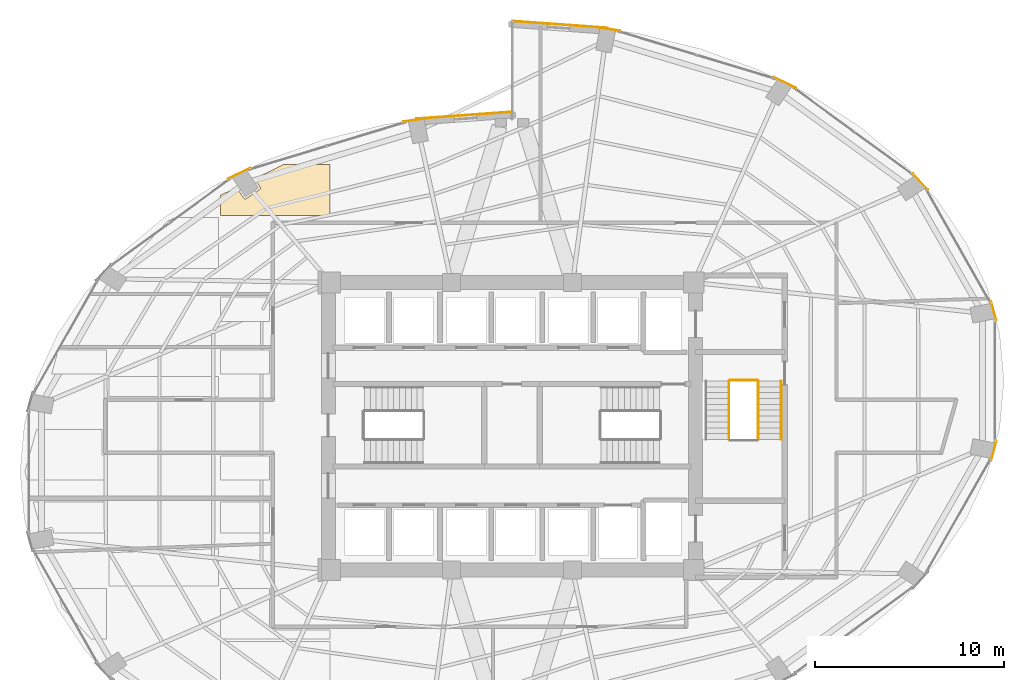
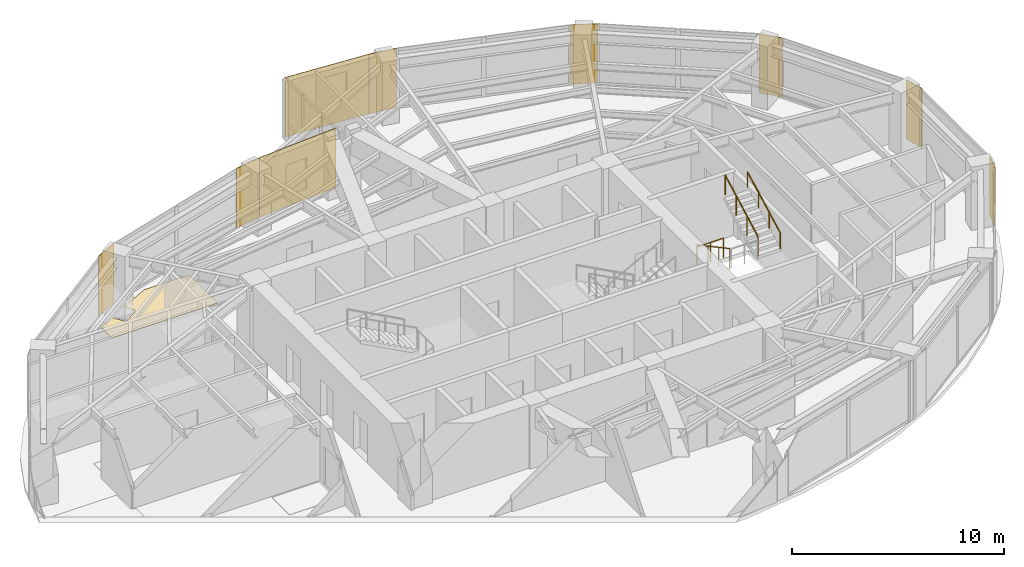
# One storey, part 24 of 24: 10 coverings, 4 railings.
"""IFC4 building model written with IfcOpenShell, lengths in metres."""

from ifc_helpers import new_model, si_unit, direction, frame, origin, origin_2d, place, context, subcontext, project, spatial, polyline, rectangle, circle, outline, extrude, material, layer, layer_set, type_object, element, save


model = new_model("IFC4")

# Units and contexts
model_context = context("Model", 3, precision=1e-05, world=origin(), true_north=direction((0.0, 1.0)))
body_context = subcontext(model_context, "Body", "Model", "MODEL_VIEW")
ifc_project = project(units=[si_unit("LENGTHUNIT", "METRE"), si_unit("AREAUNIT", "SQUARE_METRE"), si_unit("VOLUMEUNIT", "CUBIC_METRE"), si_unit("PLANEANGLEUNIT", "RADIAN"), si_unit("MASSUNIT", "GRAM", prefix="KILO")], contexts=[model_context])

# Site, building, storey
site_placement = place(None, origin())
site = spatial("IfcSite", under=ifc_project, at=site_placement, CompositionType="ELEMENT")
building_placement = place(site_placement, origin())
building = spatial("IfcBuilding", under=site, at=building_placement, Name="Lazwardi Medical Tower", CompositionType="ELEMENT")
storey_placement = place(building_placement, frame((0.0, 0.0, 96.3359375)))
storey = spatial("IfcBuildingStorey", under=building, at=storey_placement, Name="L24", CompositionType="ELEMENT", Elevation=96.3359375)

# Coverings
ifc_material_1 = material(Name="Anodised bronze aluminium cassette cladding", Category="aluminium")
ifc_layer_1 = layer(ifc_material_1, 0.030029296875)
ifc_layer_set_1 = layer_set([ifc_layer_1], Name="Anodised bronze aluminium cassette cladding")
covering_type_1 = type_object("IfcCoveringType", Name="COV-CLD-BRZ", PredefinedType="CLADDING", material=ifc_layer_set_1)
for number, where, z_axis, x_axis, name in (
    (1, (61.459716796875, 26.700927734375, 0.0), (0.0, 0.0, 1.0), (0.262696108164, 0.964878621774, 0.0), "L24 Mega-column bronze cassette cover M04"),
    (2, (61.459716796875, 34.09912109375, 0.0), (0.0, 0.0, 1.0), (-0.262696108164, 0.964878621774, 0.0), "L24 Mega-column bronze cassette cover M05"),
):
    element("IfcCovering", number, at=place(storey_placement, frame(where, z_axis=z_axis, x_axis=x_axis)), inside=storey, type_object=covering_type_1, Name=name, PredefinedType="CLADDING", context=body_context, shape_type="SweptSolid", body=[
        extrude(rectangle(XDim=1.04296875, YDim=0.030029296875, at=origin_2d()), origin(), (0.0, 0.0, 1.0), 3.427978515625),
    ])
covering_1_placement = place(storey_placement, frame((57.583740234375, 40.93408203125, 0.0), z_axis=(0.0, 0.0, 1.0), x_axis=(-0.674925949214, 0.737885467453, 0.0)))
element("IfcCovering", 3, at=covering_1_placement, inside=storey, type_object=covering_type_1, Name="L24 Mega-column bronze cassette cover M06", PredefinedType="CLADDING", context=body_context, shape_type="SweptSolid", body=[
    extrude(rectangle(XDim=1.15625, YDim=0.030029296875, at=origin_2d()), origin(), (0.0, 0.0, 1.0), 3.427978515625),
])
covering_2_placement = place(storey_placement, frame((50.421875, 46.16552734375, 0.0), z_axis=(0.0, 0.0, 1.0), x_axis=(-0.898679250201, 0.438606435495, 0.0)))
element("IfcCovering", 4, at=covering_2_placement, inside=storey, type_object=covering_type_1, Name="L24 Mega-column bronze cassette cover M07", PredefinedType="CLADDING", context=body_context, shape_type="SweptSolid", body=[
    extrude(rectangle(XDim=1.2998046875, YDim=0.030029296875, at=origin_2d()), origin(), (0.0, 0.0, 1.0), 3.427978515625),
])
for number, where, z_axis, x_axis, name in (
    (5, (41.064208984375, 48.99658203125, 0.0), (0.0, 0.0, 1.0), (-0.989609019093, 0.143784523955, 0.0), "L24 Mega-column bronze cassette cover M08"),
    (6, (30.935791015625, 44.19677734375, 0.0), (0.0, 0.0, 1.0), (-0.989609019093, -0.143784523955, 0.0), "L24 Mega-column bronze cassette cover M09"),
):
    element("IfcCovering", number, at=place(storey_placement, frame(where, z_axis=z_axis, x_axis=x_axis)), inside=storey, type_object=covering_type_1, Name=name, PredefinedType="CLADDING", context=body_context, shape_type="SweptSolid", body=[
        extrude(rectangle(XDim=1.392333984375, YDim=0.030029296875, at=origin_2d()), origin(), (0.0, 0.0, 1.0), 3.427978515625),
    ])
covering_3_placement = place(storey_placement, frame((21.578125, 41.365478515625, 0.0), z_axis=(0.0, 0.0, 1.0), x_axis=(-0.898679250201, -0.438606435495, 0.0)))
element("IfcCovering", 7, at=covering_3_placement, inside=storey, type_object=covering_type_1, Name="L24 Mega-column bronze cassette cover M10", PredefinedType="CLADDING", context=body_context, shape_type="SweptSolid", body=[
    extrude(rectangle(XDim=1.2998046875, YDim=0.030029296875, at=origin_2d()), origin(), (0.0, 0.0, 1.0), 3.427978515625),
])
ifc_material_2 = material(Name="Turquoise glazed ceramic tilework cladding", Category="masonry")
ifc_layer_2 = layer(ifc_material_2, 0.034912109375)
ifc_layer_set_2 = layer_set([ifc_layer_2], Name="Turquoise glazed ceramic tilework cladding")
covering_type_2 = type_object("IfcCoveringType", Name="COV-CLD-TRQ", PredefinedType="CLADDING", material=ifc_layer_set_2)
covering_4_placement = place(storey_placement, frame((38.533203125, 49.23388671875, 0.0), z_axis=(0.0, 0.0, 1.0), x_axis=(-0.997431665415, 0.07162452672, 0.0)))
element("IfcCovering", 8, at=covering_4_placement, inside=storey, type_object=covering_type_2, Name="L24 Turquoise glazed ceramic tilework cladding", PredefinedType="CLADDING", context=body_context, shape_type="SweptSolid", body=[
    extrude(rectangle(XDim=5.05419921875, YDim=0.034912109375, at=origin_2d()), origin(), (0.0, 0.0, 1.0), 3.427978515625),
])
covering_5_placement = place(storey_placement, frame((33.466552734375, 44.43408203125, 0.0), z_axis=(0.0, 0.0, 1.0), x_axis=(-0.997431165357, -0.071631490105, 0.0)))
element("IfcCovering", 9, at=covering_5_placement, inside=storey, type_object=covering_type_2, Name="L24 Turquoise glazed ceramic tilework cladding", PredefinedType="CLADDING", context=body_context, shape_type="SweptSolid", body=[
    extrude(rectangle(XDim=5.0537109375, YDim=0.034912109375, at=origin_2d()), origin(), (0.0, 0.0, 1.0), 3.427978515625),
])
ifc_material_3 = material(Name="Anti-static hospital vinyl sheet flooring")
ifc_layer_3 = layer(ifc_material_3, 0.014892578125)
ifc_layer_set_3 = layer_set([ifc_layer_3], Name="Anti-static hospital vinyl sheet flooring")
covering_type_3 = type_object("IfcCoveringType", Name="COV-FLR-01", PredefinedType="FLOORING", material=ifc_layer_set_3)
covering_6_placement = place(storey_placement, origin())
element("IfcCovering", 10, at=covering_6_placement, inside=storey, type_object=covering_type_3, Name="L24 Clinical Vinyl Flooring 10", PredefinedType="FLOORING", context=body_context, shape_type="SweptSolid", body=[
    extrude(outline(polyline([(23.930419921875, 41.83251953125), (22.39111328125, 41.082763671875), (22.693115234375, 40.630859375), (22.697265625, 40.6240234375), (22.700439453125, 40.616943359375), (22.703125, 40.609619140625), (22.705078125, 40.60205078125), (22.706298828125, 40.59423828125), (22.70654296875, 40.58642578125), (22.706298828125, 40.57861328125), (22.705078125, 40.57080078125), (22.703125, 40.563232421875), (22.700439453125, 40.555908203125), (22.697265625, 40.548583984375), (22.693115234375, 40.5419921875), (22.6884765625, 40.53564453125), (22.68310546875, 40.52978515625), (22.677490234375, 40.524658203125), (22.6708984375, 40.52001953125), (21.939208984375, 40.031005859375), (21.9326171875, 40.02685546875), (21.925537109375, 40.023681640625), (21.918212890625, 40.02099609375), (21.910400390625, 40.01904296875), (21.902587890625, 40.017822265625), (21.89501953125, 40.017578125), (21.88720703125, 40.017822265625), (21.87939453125, 40.01904296875), (21.87158203125, 40.02099609375), (21.8642578125, 40.023681640625), (21.857177734375, 40.02685546875), (21.8505859375, 40.031005859375), (21.843994140625, 40.03564453125), (21.83837890625, 40.041015625), (21.8330078125, 40.046875), (21.828369140625, 40.052978515625), (21.447509765625, 40.623291015625), (20.602783203125, 40.2119140625), (20.602783203125, 39.15234375), (26.3828125, 39.15234375), (26.3828125, 41.83251953125), (23.930419921875, 41.83251953125)])), origin(), (0.0, 0.0, 1.0), 0.01513671875),
])

# Railings
ifc_material_4 = material(Name="Stainless steel Grade 316", Category="steel")
railing_type_1 = type_object("IfcRailingType", Name="RLG-GRD-1150", PredefinedType="GUARDRAIL", material=ifc_material_4)
railing_1_placement = place(storey_placement, frame((47.469970703125, 30.39990234375, 0.165771484375)))
element("IfcRailing", 11, at=railing_1_placement, inside=storey, type_object=railing_type_1, Name="L24 ST3 stair guard 1", PredefinedType="GUARDRAIL", context=body_context, shape_type="SweptSolid", body=[
    extrude(circle(Radius=0.02392578125, at=origin_2d()), frame((0.0, 0.0, 1.1259765625), z_axis=(0.0, -0.881767849116, 0.471683644262), x_axis=(1.0, 0.0, 0.0)), (0.0, 0.0, 1.0), 3.515380859375),
    extrude(circle(Radius=0.02099609375, at=origin_2d()), origin(), (0.0, 0.0, 1.0), 1.099853515625),
    extrude(circle(Radius=0.02099609375, at=origin_2d()), frame((0.0, -1.033203125, 0.552734375)), (0.0, 0.0, 1.0), 1.099853515625),
    extrude(circle(Radius=0.02099609375, at=origin_2d()), frame((0.0, -2.066650390625, 1.10546875)), (0.0, 0.0, 1.0), 1.099853515625),
    extrude(circle(Radius=0.02099609375, at=origin_2d()), frame((0.0, -3.099853515625, 1.658203125)), (0.0, 0.0, 1.0), 1.099853515625),
])
railing_2_placement = place(storey_placement, frame((49.010009765625, 27.300048828125, 1.989990234375)))
element("IfcRailing", 12, at=railing_2_placement, inside=storey, type_object=railing_type_1, Name="L24 ST3 stair guard 3", PredefinedType="GUARDRAIL", context=body_context, shape_type="SweptSolid", body=[
    extrude(circle(Radius=0.02392578125, at=origin_2d()), frame((0.0, 0.0, 1.1259765625), z_axis=(0.0, 0.881796732468, 0.4716296456), x_axis=(-1.0, 0.0, 0.0)), (0.0, 0.0, 1.0), 3.515380859375),
    extrude(circle(Radius=0.02099609375, at=origin_2d()), origin(), (0.0, 0.0, 1.0), 1.099853515625),
    extrude(circle(Radius=0.02099609375, at=origin_2d()), frame((0.0, 1.033203125, 0.552734375)), (0.0, 0.0, 1.0), 1.099853515625),
    extrude(circle(Radius=0.02099609375, at=origin_2d()), frame((0.0, 2.066650390625, 1.105224609375)), (0.0, 0.0, 1.0), 1.099853515625),
    extrude(circle(Radius=0.02099609375, at=origin_2d()), frame((0.0, 3.099853515625, 1.657958984375)), (0.0, 0.0, 1.0), 1.099853515625),
])
railing_3_placement = place(storey_placement, frame((47.52001953125, 30.449951171875, 0.0)))
element("IfcRailing", 13, at=railing_3_placement, inside=storey, type_object=railing_type_1, Name="L24 ST3 stair guard 4", PredefinedType="GUARDRAIL", context=body_context, shape_type="SweptSolid", body=[
    extrude(circle(Radius=0.02392578125, at=origin_2d()), frame((0.0, 0.0, 1.1259765625), z_axis=(1.0, 0.0, 0.0), x_axis=(0.0, 1.0, 0.0)), (0.0, 0.0, 1.0), 1.43994140625),
    extrude(circle(Radius=0.02099609375, at=origin_2d()), origin(), (0.0, 0.0, 1.0), 1.099853515625),
    extrude(circle(Radius=0.02099609375, at=origin_2d()), frame((0.719970703125, 0.0, 0.0)), (0.0, 0.0, 1.0), 1.099853515625),
    extrude(circle(Radius=0.02099609375, at=origin_2d()), frame((1.43994140625, 0.0, 0.0)), (0.0, 0.0, 1.0), 1.099853515625),
])
railing_type_2 = type_object("IfcRailingType", Name="RLG-HND-920", PredefinedType="HANDRAIL", material=ifc_material_4)
railing_4_placement = place(storey_placement, frame((50.22998046875, 27.300048828125, 1.989990234375)))
element("IfcRailing", 14, at=railing_4_placement, inside=storey, type_object=railing_type_2, Name="L24 ST3 stair handrail 2", PredefinedType="HANDRAIL", context=body_context, shape_type="SweptSolid", body=[
    extrude(circle(Radius=0.02392578125, at=origin_2d()), frame((0.0, 0.0, 0.8857421875), z_axis=(0.0, 0.881796732468, 0.4716296456), x_axis=(-1.0, 0.0, 0.0)), (0.0, 0.0, 1.0), 3.515380859375),
    extrude(circle(Radius=0.02099609375, at=origin_2d()), origin(), (0.0, 0.0, 1.0), 0.85986328125),
    extrude(circle(Radius=0.02099609375, at=origin_2d()), frame((0.0, 1.033203125, 0.552734375)), (0.0, 0.0, 1.0), 0.85986328125),
    extrude(circle(Radius=0.02099609375, at=origin_2d()), frame((0.0, 2.066650390625, 1.105224609375)), (0.0, 0.0, 1.0), 0.85986328125),
    extrude(circle(Radius=0.02099609375, at=origin_2d()), frame((0.0, 3.099853515625, 1.657958984375)), (0.0, 0.0, 1.0), 0.85986328125),
])

save(model, "model.ifc")
